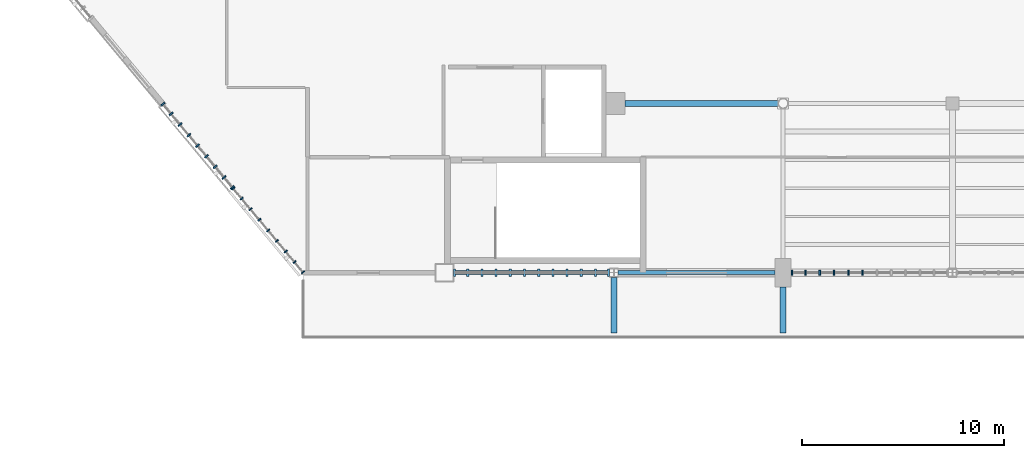
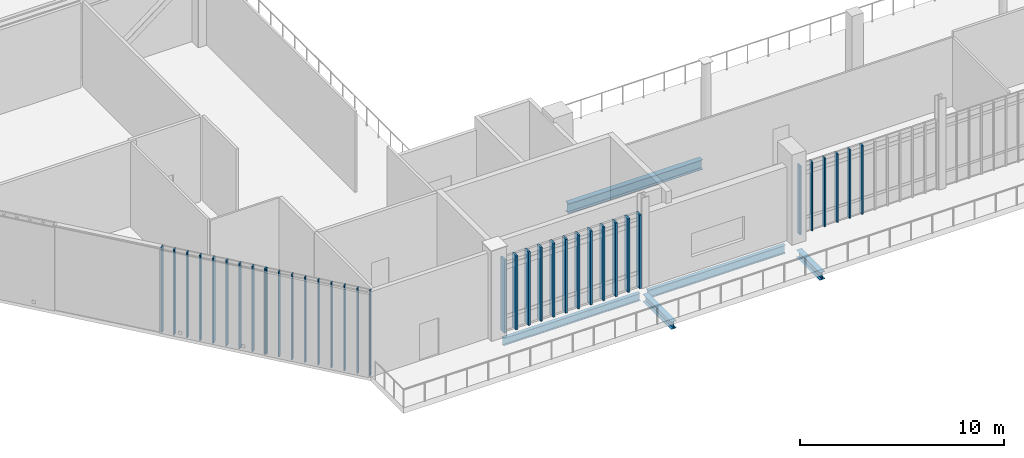
# One storey, part 8 of 135: 36 members, 5 beams, 4 elements without a shape of their own.
"""IFC4 building model written with IfcOpenShell, lengths in metres."""

from ifc_helpers import new_model, si_unit, direction, frame, origin, origin_2d, place, context, subcontext, project, spatial, rectangle, i_section, extrude, material, material_profile, profile_set, type_object, element, aggregate, save


model = new_model("IFC4")

# Units and contexts
model_context = context("Model", 3, precision=1e-05, world=origin(), true_north=direction((0.0, 1.0)))
body_context = subcontext(model_context, "Body", "Model", "MODEL_VIEW")
ifc_project = project(units=[si_unit("LENGTHUNIT", "METRE"), si_unit("AREAUNIT", "SQUARE_METRE"), si_unit("VOLUMEUNIT", "CUBIC_METRE"), si_unit("PLANEANGLEUNIT", "RADIAN"), si_unit("MASSUNIT", "GRAM", prefix="KILO")], contexts=[model_context])

# Site, building, storey
site_placement = place(None, origin())
site = spatial("IfcSite", under=ifc_project, at=site_placement, CompositionType="ELEMENT")
building_placement = place(site_placement, origin())
building = spatial("IfcBuilding", under=site, at=building_placement, Name="Larkvane Passage Sports Hall", CompositionType="ELEMENT")
storey_placement = place(building_placement, frame((0.0, 0.0, 16.800048828125)))
storey = spatial("IfcBuildingStorey", under=building, at=storey_placement, Name="L03", CompositionType="ELEMENT", Elevation=16.800048828125)

# Beams
ifc_material_1 = material(Name="Steel S355JR", Category="steel")
ifc_material_profile_1 = material_profile(ifc_material_1, i_section(OverallWidth=0.300048828125, OverallDepth=0.43994140625, WebThickness=0.010986328125, FlangeThickness=0.01806640625, FilletRadius=0.01806640625, at=origin_2d()), Name="H-440x300x11x18")
ifc_profile_set_1 = profile_set([ifc_material_profile_1], Name="Steel S355JR")
beam_type_1 = type_object("IfcBeamType", Name="BM-STL-H440", PredefinedType="BEAM", material=ifc_profile_set_1)
beam_1_placement = place(storey_placement, frame((43.199951171875, 19.800048828125, -0.56005859375), z_axis=(0.0, 1.0, 0.0), x_axis=(-1.0, 0.0, 0.0)))
element("IfcBeam", 1, at=beam_1_placement, inside=storey, type_object=beam_type_1, Name="South upper court terrace outlook beam 7/D", PredefinedType="BEAM", context=body_context, shape_type="SweptSolid", body=[
    extrude(i_section(OverallWidth=0.300048828125, OverallDepth=0.43994140625, WebThickness=0.010986328125, FlangeThickness=0.01806640625, FilletRadius=0.01806640625, at=origin_2d()), origin(), (0.0, 0.0, 1.0), 2.77099609375),
])
beam_2_placement = place(storey_placement, frame((51.60009765625, 19.800048828125, -0.56005859375), z_axis=(0.0, 1.0, 0.0), x_axis=(-1.0, 0.0, 0.0)))
element("IfcBeam", 2, at=beam_2_placement, inside=storey, type_object=beam_type_1, Name="South upper court terrace outlook beam 8/D", PredefinedType="BEAM", context=body_context, shape_type="SweptSolid", body=[
    extrude(i_section(OverallWidth=0.300048828125, OverallDepth=0.43994140625, WebThickness=0.010986328125, FlangeThickness=0.01806640625, FilletRadius=0.01806640625, at=origin_2d()), origin(), (0.0, 0.0, 1.0), 2.300048828125),
])
ifc_material_2 = material(Name="Steel S460N", Category="steel")
ifc_material_profile_2 = material_profile(ifc_material_2, i_section(OverallWidth=0.300048828125, OverallDepth=0.587890625, WebThickness=0.011962890625, FlangeThickness=0.02001953125, FilletRadius=0.02197265625, at=origin_2d()), Name="H-588x300x12x20")
ifc_profile_set_2 = profile_set([ifc_material_profile_2], Name="Steel S460N")
beam_type_2 = type_object("IfcBeamType", Name="BM-STL-H588", PredefinedType="BEAM", material=ifc_profile_set_2)
beam_3_placement = place(storey_placement, frame((43.75, 31.199951171875, -0.634033203125), z_axis=(1.0, 0.0, 0.0), x_axis=(0.0, 1.0, 0.0)))
element("IfcBeam", 3, at=beam_3_placement, inside=storey, type_object=beam_type_2, Name="Girder BM5-X-L03-E-0981", PredefinedType="BEAM", context=body_context, shape_type="SweptSolid", body=[
    extrude(i_section(OverallWidth=0.300048828125, OverallDepth=0.587890625, WebThickness=0.011962890625, FlangeThickness=0.02001953125, FilletRadius=0.02197265625, at=origin_2d()), origin(), (0.0, 0.0, 1.0), 7.595947265625),
])

# Curtain wall, members
ifc_material_3 = material(Name="Thermally broken aluminium and low-E glazing", Category="aluminium")
curtain_wall_type_1 = type_object("IfcCurtainWallType", Name="CW-CLINIC", PredefinedType="USERDEFINED", material=ifc_material_3)
curtain_wall_1_placement = place(storey_placement, origin())
curtain_wall_1 = element("IfcCurtainWall", 4, at=curtain_wall_1_placement, inside=storey, type_object=curtain_wall_type_1, Name="Curtain wall CW5-L03-127", ObjectType="UNITISED CURTAIN WALL", PredefinedType="USERDEFINED")
ifc_material_4 = material(Name="Anodised aluminium 6063-T6", Category="aluminium")
ifc_material_profile_3 = material_profile(ifc_material_4, rectangle(XDim=0.110107421875, YDim=0.360107421875, at=origin_2d()), Name="ALU-MUL-110x360")
ifc_profile_set_3 = profile_set([ifc_material_profile_3], Name="Anodised aluminium 6063-T6")
member_type_1 = type_object("IfcMemberType", Name="CW-MUL-110x360", PredefinedType="MULLION", material=ifc_profile_set_3)
member_1_placement = place(storey_placement, frame((42.9404296875, 22.800048828125, 0.0), z_axis=(0.0, 0.0, 1.0), x_axis=(-1.0, 0.0, 0.0)))
member_1 = element("IfcMember", 5, at=member_1_placement, type_object=member_type_1, Name="CW-05 mullion 1", PredefinedType="MULLION", context=body_context, shape_type="SweptSolid", body=[
    extrude(rectangle(XDim=0.110107421875, YDim=0.360107421875, at=origin_2d()), origin(), (0.0, 0.0, 1.0), 4.407958984375),
])
member_2_placement = place(storey_placement, frame((42.291015625, 22.800048828125, 0.0), z_axis=(0.0, 0.0, 1.0), x_axis=(-1.0, 0.0, 0.0)))
member_2 = element("IfcMember", 6, at=member_2_placement, type_object=member_type_1, Name="CW-05 mullion 2", PredefinedType="MULLION", context=body_context, shape_type="SweptSolid", body=[
    extrude(rectangle(XDim=0.110107421875, YDim=0.360107421875, at=origin_2d()), origin(), (0.0, 0.0, 1.0), 4.407958984375),
])
member_3_placement = place(storey_placement, frame((41.58642578125, 22.800048828125, 0.0), z_axis=(0.0, 0.0, 1.0), x_axis=(-1.0, 0.0, 0.0)))
member_3 = element("IfcMember", 7, at=member_3_placement, type_object=member_type_1, Name="CW-05 mullion 3", PredefinedType="MULLION", context=body_context, shape_type="SweptSolid", body=[
    extrude(rectangle(XDim=0.110107421875, YDim=0.360107421875, at=origin_2d()), origin(), (0.0, 0.0, 1.0), 4.407958984375),
])
member_4_placement = place(storey_placement, frame((40.882080078125, 22.800048828125, 0.0), z_axis=(0.0, 0.0, 1.0), x_axis=(-1.0, 0.0, 0.0)))
member_4 = element("IfcMember", 8, at=member_4_placement, type_object=member_type_1, Name="CW-05 mullion 4", PredefinedType="MULLION", context=body_context, shape_type="SweptSolid", body=[
    extrude(rectangle(XDim=0.110107421875, YDim=0.360107421875, at=origin_2d()), origin(), (0.0, 0.0, 1.0), 4.407958984375),
])
member_5_placement = place(storey_placement, frame((40.177490234375, 22.800048828125, 0.0), z_axis=(0.0, 0.0, 1.0), x_axis=(-1.0, 0.0, 0.0)))
member_5 = element("IfcMember", 9, at=member_5_placement, type_object=member_type_1, Name="CW-05 mullion 5", PredefinedType="MULLION", context=body_context, shape_type="SweptSolid", body=[
    extrude(rectangle(XDim=0.110107421875, YDim=0.360107421875, at=origin_2d()), origin(), (0.0, 0.0, 1.0), 4.407958984375),
])
member_6_placement = place(storey_placement, frame((39.472900390625, 22.800048828125, 0.0), z_axis=(0.0, 0.0, 1.0), x_axis=(-1.0, 0.0, 0.0)))
member_6 = element("IfcMember", 10, at=member_6_placement, type_object=member_type_1, Name="CW-05 mullion 6", PredefinedType="MULLION", context=body_context, shape_type="SweptSolid", body=[
    extrude(rectangle(XDim=0.110107421875, YDim=0.360107421875, at=origin_2d()), origin(), (0.0, 0.0, 1.0), 4.407958984375),
])
member_7_placement = place(storey_placement, frame((38.7685546875, 22.800048828125, 0.0), z_axis=(0.0, 0.0, 1.0), x_axis=(-1.0, 0.0, 0.0)))
member_7 = element("IfcMember", 11, at=member_7_placement, type_object=member_type_1, Name="CW-05 mullion 7", PredefinedType="MULLION", context=body_context, shape_type="SweptSolid", body=[
    extrude(rectangle(XDim=0.110107421875, YDim=0.360107421875, at=origin_2d()), origin(), (0.0, 0.0, 1.0), 4.407958984375),
])
member_8_placement = place(storey_placement, frame((38.06396484375, 22.800048828125, 0.0), z_axis=(0.0, 0.0, 1.0), x_axis=(-1.0, 0.0, 0.0)))
member_8 = element("IfcMember", 12, at=member_8_placement, type_object=member_type_1, Name="CW-05 mullion 8", PredefinedType="MULLION", context=body_context, shape_type="SweptSolid", body=[
    extrude(rectangle(XDim=0.110107421875, YDim=0.360107421875, at=origin_2d()), origin(), (0.0, 0.0, 1.0), 4.407958984375),
])
member_9_placement = place(storey_placement, frame((37.359619140625, 22.800048828125, 0.0), z_axis=(0.0, 0.0, 1.0), x_axis=(-1.0, 0.0, 0.0)))
member_9 = element("IfcMember", 13, at=member_9_placement, type_object=member_type_1, Name="CW-05 mullion 9", PredefinedType="MULLION", context=body_context, shape_type="SweptSolid", body=[
    extrude(rectangle(XDim=0.110107421875, YDim=0.360107421875, at=origin_2d()), origin(), (0.0, 0.0, 1.0), 4.407958984375),
])
member_10_placement = place(storey_placement, frame((36.655029296875, 22.800048828125, 0.0), z_axis=(0.0, 0.0, 1.0), x_axis=(-1.0, 0.0, 0.0)))
member_10 = element("IfcMember", 14, at=member_10_placement, type_object=member_type_1, Name="CW-05 mullion 10", PredefinedType="MULLION", context=body_context, shape_type="SweptSolid", body=[
    extrude(rectangle(XDim=0.110107421875, YDim=0.360107421875, at=origin_2d()), origin(), (0.0, 0.0, 1.0), 4.407958984375),
])
member_11_placement = place(storey_placement, frame((35.950439453125, 22.800048828125, 0.0), z_axis=(0.0, 0.0, 1.0), x_axis=(-1.0, 0.0, 0.0)))
member_11 = element("IfcMember", 15, at=member_11_placement, type_object=member_type_1, Name="CW-05 mullion 11", PredefinedType="MULLION", context=body_context, shape_type="SweptSolid", body=[
    extrude(rectangle(XDim=0.110107421875, YDim=0.360107421875, at=origin_2d()), origin(), (0.0, 0.0, 1.0), 4.407958984375),
])
member_12_placement = place(storey_placement, frame((35.301025390625, 22.800048828125, 0.0), z_axis=(0.0, 0.0, 1.0), x_axis=(-1.0, 0.0, 0.0)))
member_12 = element("IfcMember", 16, at=member_12_placement, type_object=member_type_1, Name="CW-05 mullion 12", PredefinedType="MULLION", context=body_context, shape_type="SweptSolid", body=[
    extrude(rectangle(XDim=0.110107421875, YDim=0.360107421875, at=origin_2d()), origin(), (0.0, 0.0, 1.0), 4.407958984375),
])
aggregate(curtain_wall_1, [member_1, member_2, member_3, member_4, member_5, member_6, member_7, member_8, member_9, member_10, member_11, member_12])

curtain_wall_type_2 = type_object("IfcCurtainWallType", Name="CW-UNIT-COURT", PredefinedType="USERDEFINED", material=ifc_material_3)
curtain_wall_2_placement = place(storey_placement, origin())
curtain_wall_2 = element("IfcCurtainWall", 17, at=curtain_wall_2_placement, inside=storey, type_object=curtain_wall_type_2, Name="Curtain wall CW5-L03-128", ObjectType="UNITISED CURTAIN WALL", PredefinedType="USERDEFINED")
ifc_material_profile_4 = material_profile(ifc_material_4, rectangle(XDim=0.06494140625, YDim=0.179931640625, at=origin_2d()), Name="ALU-MUL-65x180")
ifc_profile_set_4 = profile_set([ifc_material_profile_4], Name="Anodised aluminium 6063-T6")
member_type_2 = type_object("IfcMemberType", Name="CW-MUL-65x180", PredefinedType="MULLION", material=ifc_profile_set_4)
member_13_placement = place(storey_placement, frame((27.779296875, 22.824951171875, 0.0), z_axis=(0.0, 0.0, 1.0), x_axis=(-0.640184399661, 0.7682212796, 0.0)))
member_13 = element("IfcMember", 18, at=member_13_placement, type_object=member_type_2, Name="CW-01 mullion 1", PredefinedType="MULLION", context=body_context, shape_type="SweptSolid", body=[
    extrude(rectangle(XDim=0.06494140625, YDim=0.179931640625, at=origin_2d()), origin(), (0.0, 0.0, 1.0), 5.099853515625),
])
member_14_placement = place(storey_placement, frame((27.362548828125, 23.324951171875, 0.0), z_axis=(0.0, 0.0, 1.0), x_axis=(-0.640184399661, 0.7682212796, 0.0)))
member_14 = element("IfcMember", 19, at=member_14_placement, type_object=member_type_2, Name="CW-01 mullion 2", PredefinedType="MULLION", context=body_context, shape_type="SweptSolid", body=[
    extrude(rectangle(XDim=0.06494140625, YDim=0.179931640625, at=origin_2d()), origin(), (0.0, 0.0, 1.0), 5.099853515625),
])
member_15_placement = place(storey_placement, frame((26.925048828125, 23.85009765625, 0.0), z_axis=(0.0, 0.0, 1.0), x_axis=(-0.640184399661, 0.7682212796, 0.0)))
member_15 = element("IfcMember", 20, at=member_15_placement, type_object=member_type_2, Name="CW-01 mullion 3", PredefinedType="MULLION", context=body_context, shape_type="SweptSolid", body=[
    extrude(rectangle(XDim=0.06494140625, YDim=0.179931640625, at=origin_2d()), origin(), (0.0, 0.0, 1.0), 5.099853515625),
])
member_16_placement = place(storey_placement, frame((26.487548828125, 24.375, 0.0), z_axis=(0.0, 0.0, 1.0), x_axis=(-0.640184399661, 0.7682212796, 0.0)))
member_16 = element("IfcMember", 21, at=member_16_placement, type_object=member_type_2, Name="CW-01 mullion 4", PredefinedType="MULLION", context=body_context, shape_type="SweptSolid", body=[
    extrude(rectangle(XDim=0.06494140625, YDim=0.179931640625, at=origin_2d()), origin(), (0.0, 0.0, 1.0), 5.099853515625),
])
member_17_placement = place(storey_placement, frame((26.050048828125, 24.89990234375, 0.0), z_axis=(0.0, 0.0, 1.0), x_axis=(-0.640184399661, 0.7682212796, 0.0)))
member_17 = element("IfcMember", 22, at=member_17_placement, type_object=member_type_2, Name="CW-01 mullion 5", PredefinedType="MULLION", context=body_context, shape_type="SweptSolid", body=[
    extrude(rectangle(XDim=0.06494140625, YDim=0.179931640625, at=origin_2d()), origin(), (0.0, 0.0, 1.0), 5.099853515625),
])
member_18_placement = place(storey_placement, frame((25.612548828125, 25.425048828125, 0.0), z_axis=(0.0, 0.0, 1.0), x_axis=(-0.640184399661, 0.7682212796, 0.0)))
member_18 = element("IfcMember", 23, at=member_18_placement, type_object=member_type_2, Name="CW-01 mullion 6", PredefinedType="MULLION", context=body_context, shape_type="SweptSolid", body=[
    extrude(rectangle(XDim=0.06494140625, YDim=0.179931640625, at=origin_2d()), origin(), (0.0, 0.0, 1.0), 5.099853515625),
])
member_19_placement = place(storey_placement, frame((25.175048828125, 25.949951171875, 0.0), z_axis=(0.0, 0.0, 1.0), x_axis=(-0.640184399661, 0.7682212796, 0.0)))
member_19 = element("IfcMember", 24, at=member_19_placement, type_object=member_type_2, Name="CW-01 mullion 7", PredefinedType="MULLION", context=body_context, shape_type="SweptSolid", body=[
    extrude(rectangle(XDim=0.06494140625, YDim=0.179931640625, at=origin_2d()), origin(), (0.0, 0.0, 1.0), 5.099853515625),
])
member_20_placement = place(storey_placement, frame((24.737548828125, 26.47509765625, 0.0), z_axis=(0.0, 0.0, 1.0), x_axis=(-0.640184399661, 0.7682212796, 0.0)))
member_20 = element("IfcMember", 25, at=member_20_placement, type_object=member_type_2, Name="CW-01 mullion 8", PredefinedType="MULLION", context=body_context, shape_type="SweptSolid", body=[
    extrude(rectangle(XDim=0.06494140625, YDim=0.179931640625, at=origin_2d()), origin(), (0.0, 0.0, 1.0), 5.099853515625),
])
member_21_placement = place(storey_placement, frame((24.32080078125, 26.97509765625, 0.0), z_axis=(0.0, 0.0, 1.0), x_axis=(-0.640184399661, 0.7682212796, 0.0)))
member_21 = element("IfcMember", 26, at=member_21_placement, type_object=member_type_2, Name="CW-01 mullion 9", PredefinedType="MULLION", context=body_context, shape_type="SweptSolid", body=[
    extrude(rectangle(XDim=0.06494140625, YDim=0.179931640625, at=origin_2d()), origin(), (0.0, 0.0, 1.0), 5.099853515625),
])
aggregate(curtain_wall_2, [member_13, member_14, member_15, member_16, member_17, member_18, member_19, member_20, member_21])

curtain_wall_type_3 = type_object("IfcCurtainWallType", Name="CW-UNIT-VEIL", PredefinedType="USERDEFINED", material=ifc_material_3)
curtain_wall_3_placement = place(storey_placement, origin())
curtain_wall_3 = element("IfcCurtainWall", 27, at=curtain_wall_3_placement, inside=storey, type_object=curtain_wall_type_3, Name="Curtain wall CW5-L03-129", ObjectType="UNITISED CURTAIN WALL", PredefinedType="USERDEFINED")
ifc_material_profile_5 = material_profile(ifc_material_4, rectangle(XDim=0.074951171875, YDim=0.22509765625, at=origin_2d()), Name="ALU-MUL-75x225")
ifc_profile_set_5 = profile_set([ifc_material_profile_5], Name="Anodised aluminium 6063-T6")
member_type_3 = type_object("IfcMemberType", Name="CW-MUL-75x225", PredefinedType="MULLION", material=ifc_profile_set_5)
member_22_placement = place(storey_placement, frame((24.27587890625, 27.02880859375, 0.0), z_axis=(0.0, 0.0, 1.0), x_axis=(-0.640184399661, 0.7682212796, 0.0)))
member_22 = element("IfcMember", 28, at=member_22_placement, type_object=member_type_3, Name="CW-02 mullion 1", PredefinedType="MULLION", context=body_context, shape_type="SweptSolid", body=[
    extrude(rectangle(XDim=0.074951171875, YDim=0.22509765625, at=origin_2d()), origin(), (0.0, 0.0, 1.0), 5.099853515625),
])
member_23_placement = place(storey_placement, frame((23.862548828125, 27.52490234375, 0.0), z_axis=(0.0, 0.0, 1.0), x_axis=(-0.640184399661, 0.7682212796, 0.0)))
member_23 = element("IfcMember", 29, at=member_23_placement, type_object=member_type_3, Name="CW-02 mullion 2", PredefinedType="MULLION", context=body_context, shape_type="SweptSolid", body=[
    extrude(rectangle(XDim=0.074951171875, YDim=0.22509765625, at=origin_2d()), origin(), (0.0, 0.0, 1.0), 5.099853515625),
])
member_24_placement = place(storey_placement, frame((23.425048828125, 28.050048828125, 0.0), z_axis=(0.0, 0.0, 1.0), x_axis=(-0.640184399661, 0.7682212796, 0.0)))
member_24 = element("IfcMember", 30, at=member_24_placement, type_object=member_type_3, Name="CW-02 mullion 3", PredefinedType="MULLION", context=body_context, shape_type="SweptSolid", body=[
    extrude(rectangle(XDim=0.074951171875, YDim=0.22509765625, at=origin_2d()), origin(), (0.0, 0.0, 1.0), 5.099853515625),
])
member_25_placement = place(storey_placement, frame((22.987548828125, 28.574951171875, 0.0), z_axis=(0.0, 0.0, 1.0), x_axis=(-0.640184399661, 0.7682212796, 0.0)))
member_25 = element("IfcMember", 31, at=member_25_placement, type_object=member_type_3, Name="CW-02 mullion 4", PredefinedType="MULLION", context=body_context, shape_type="SweptSolid", body=[
    extrude(rectangle(XDim=0.074951171875, YDim=0.22509765625, at=origin_2d()), origin(), (0.0, 0.0, 1.0), 5.099853515625),
])
member_26_placement = place(storey_placement, frame((22.550048828125, 29.10009765625, 0.0), z_axis=(0.0, 0.0, 1.0), x_axis=(-0.640184399661, 0.7682212796, 0.0)))
member_26 = element("IfcMember", 32, at=member_26_placement, type_object=member_type_3, Name="CW-02 mullion 5", PredefinedType="MULLION", context=body_context, shape_type="SweptSolid", body=[
    extrude(rectangle(XDim=0.074951171875, YDim=0.22509765625, at=origin_2d()), origin(), (0.0, 0.0, 1.0), 5.099853515625),
])
member_27_placement = place(storey_placement, frame((22.112548828125, 29.625, 0.0), z_axis=(0.0, 0.0, 1.0), x_axis=(-0.640184399661, 0.7682212796, 0.0)))
member_27 = element("IfcMember", 33, at=member_27_placement, type_object=member_type_3, Name="CW-02 mullion 6", PredefinedType="MULLION", context=body_context, shape_type="SweptSolid", body=[
    extrude(rectangle(XDim=0.074951171875, YDim=0.22509765625, at=origin_2d()), origin(), (0.0, 0.0, 1.0), 5.099853515625),
])
member_28_placement = place(storey_placement, frame((21.675048828125, 30.14990234375, 0.0), z_axis=(0.0, 0.0, 1.0), x_axis=(-0.640184399661, 0.7682212796, 0.0)))
member_28 = element("IfcMember", 34, at=member_28_placement, type_object=member_type_3, Name="CW-02 mullion 7", PredefinedType="MULLION", context=body_context, shape_type="SweptSolid", body=[
    extrude(rectangle(XDim=0.074951171875, YDim=0.22509765625, at=origin_2d()), origin(), (0.0, 0.0, 1.0), 5.099853515625),
])
member_29_placement = place(storey_placement, frame((21.237548828125, 30.675048828125, 0.0), z_axis=(0.0, 0.0, 1.0), x_axis=(-0.640184399661, 0.7682212796, 0.0)))
member_29 = element("IfcMember", 35, at=member_29_placement, type_object=member_type_3, Name="CW-02 mullion 8", PredefinedType="MULLION", context=body_context, shape_type="SweptSolid", body=[
    extrude(rectangle(XDim=0.074951171875, YDim=0.22509765625, at=origin_2d()), origin(), (0.0, 0.0, 1.0), 5.099853515625),
])
member_30_placement = place(storey_placement, frame((20.823974609375, 31.171142578125, 0.0), z_axis=(0.0, 0.0, 1.0), x_axis=(-0.640184399661, 0.7682212796, 0.0)))
member_30 = element("IfcMember", 36, at=member_30_placement, type_object=member_type_3, Name="CW-02 mullion 9", PredefinedType="MULLION", context=body_context, shape_type="SweptSolid", body=[
    extrude(rectangle(XDim=0.074951171875, YDim=0.22509765625, at=origin_2d()), origin(), (0.0, 0.0, 1.0), 5.099853515625),
])
aggregate(curtain_wall_3, [member_22, member_23, member_24, member_25, member_26, member_27, member_28, member_29, member_30])

curtain_wall_type_4 = type_object("IfcCurtainWallType", Name="CW-STICK-FOYER", PredefinedType="USERDEFINED", material=ifc_material_3)
curtain_wall_4_placement = place(storey_placement, origin())
curtain_wall_4 = element("IfcCurtainWall", 37, at=curtain_wall_4_placement, inside=storey, type_object=curtain_wall_type_4, Name="Curtain wall CW5-L03-126", ObjectType="STICK CURTAIN WALL", PredefinedType="USERDEFINED")
ifc_material_profile_6 = material_profile(ifc_material_4, rectangle(XDim=0.080078125, YDim=0.25, at=origin_2d()), Name="ALU-MUL-80x250")
ifc_profile_set_6 = profile_set([ifc_material_profile_6], Name="Anodised aluminium 6063-T6")
member_type_4 = type_object("IfcMemberType", Name="CW-MUL-80x250", PredefinedType="MULLION", material=ifc_profile_set_6)
member_31_placement = place(storey_placement, frame((55.54345703125, 22.800048828125, 0.0), z_axis=(0.0, 0.0, 1.0), x_axis=(-1.0, 0.0, 0.0)))
member_31 = element("IfcMember", 38, at=member_31_placement, type_object=member_type_4, Name="CW-03 mullion 7", PredefinedType="MULLION", context=body_context, shape_type="SweptSolid", body=[
    extrude(rectangle(XDim=0.080078125, YDim=0.25, at=origin_2d()), origin(), (0.0, 0.0, 1.0), 4.10791015625),
])
member_32_placement = place(storey_placement, frame((54.833984375, 22.800048828125, 0.0), z_axis=(0.0, 0.0, 1.0), x_axis=(-1.0, 0.0, 0.0)))
member_32 = element("IfcMember", 39, at=member_32_placement, type_object=member_type_4, Name="CW-03 mullion 8", PredefinedType="MULLION", context=body_context, shape_type="SweptSolid", body=[
    extrude(rectangle(XDim=0.080078125, YDim=0.25, at=origin_2d()), origin(), (0.0, 0.0, 1.0), 4.10791015625),
])
member_33_placement = place(storey_placement, frame((54.12451171875, 22.800048828125, 0.0), z_axis=(0.0, 0.0, 1.0), x_axis=(-1.0, 0.0, 0.0)))
member_33 = element("IfcMember", 40, at=member_33_placement, type_object=member_type_4, Name="CW-03 mullion 9", PredefinedType="MULLION", context=body_context, shape_type="SweptSolid", body=[
    extrude(rectangle(XDim=0.080078125, YDim=0.25, at=origin_2d()), origin(), (0.0, 0.0, 1.0), 4.10791015625),
])
member_34_placement = place(storey_placement, frame((53.4150390625, 22.800048828125, 0.0), z_axis=(0.0, 0.0, 1.0), x_axis=(-1.0, 0.0, 0.0)))
member_34 = element("IfcMember", 41, at=member_34_placement, type_object=member_type_4, Name="CW-03 mullion 10", PredefinedType="MULLION", context=body_context, shape_type="SweptSolid", body=[
    extrude(rectangle(XDim=0.080078125, YDim=0.25, at=origin_2d()), origin(), (0.0, 0.0, 1.0), 4.10791015625),
])
member_35_placement = place(storey_placement, frame((52.70556640625, 22.800048828125, 0.0), z_axis=(0.0, 0.0, 1.0), x_axis=(-1.0, 0.0, 0.0)))
member_35 = element("IfcMember", 42, at=member_35_placement, type_object=member_type_4, Name="CW-03 mullion 11", PredefinedType="MULLION", context=body_context, shape_type="SweptSolid", body=[
    extrude(rectangle(XDim=0.080078125, YDim=0.25, at=origin_2d()), origin(), (0.0, 0.0, 1.0), 4.10791015625),
])
member_36_placement = place(storey_placement, frame((52.035888671875, 22.800048828125, 0.0), z_axis=(0.0, 0.0, 1.0), x_axis=(-1.0, 0.0, 0.0)))
member_36 = element("IfcMember", 43, at=member_36_placement, type_object=member_type_4, Name="CW-03 mullion 12", PredefinedType="MULLION", context=body_context, shape_type="SweptSolid", body=[
    extrude(rectangle(XDim=0.080078125, YDim=0.25, at=origin_2d()), origin(), (0.0, 0.0, 1.0), 4.10791015625),
])
aggregate(curtain_wall_4, [member_31, member_32, member_33, member_34, member_35, member_36])

# Beams
ifc_material_profile_7 = material_profile(ifc_material_1, i_section(OverallWidth=0.199951171875, OverallDepth=0.449951171875, WebThickness=0.009033203125, FlangeThickness=0.013916015625, FilletRadius=0.01806640625, at=origin_2d()), Name="H-450x200x9x14")
ifc_profile_set_7 = profile_set([ifc_material_profile_7], Name="Steel S355JR")
beam_type_3 = type_object("IfcBeamType", Name="SP-STL-H450", PredefinedType="SPANDREL", material=ifc_profile_set_7)
beam_4_placement = place(storey_placement, frame((35.25, 22.800048828125, -0.56494140625), z_axis=(1.0, 0.0, 0.0), x_axis=(0.0, 1.0, 0.0)))
element("IfcBeam", 44, at=beam_4_placement, inside=storey, type_object=beam_type_3, Name="Girder BM5-X-L03-D-0975", PredefinedType="SPANDREL", context=body_context, shape_type="SweptSolid", body=[
    extrude(i_section(OverallWidth=0.199951171875, OverallDepth=0.449951171875, WebThickness=0.009033203125, FlangeThickness=0.013916015625, FilletRadius=0.01806640625, at=origin_2d()), origin(), (0.0, 0.0, 1.0), 7.741455078125),
])
ifc_material_profile_8 = material_profile(ifc_material_1, i_section(OverallWidth=0.199951171875, OverallDepth=0.5, WebThickness=0.010009765625, FlangeThickness=0.01611328125, FilletRadius=0.01806640625, at=origin_2d()), Name="H-500x200x10x16")
ifc_profile_set_8 = profile_set([ifc_material_profile_8], Name="Steel S355JR")
beam_type_4 = type_object("IfcBeamType", Name="SP-STL-H500", PredefinedType="SPANDREL", material=ifc_profile_set_8)
beam_5_placement = place(storey_placement, frame((43.408447265625, 22.800048828125, -0.590087890625), z_axis=(1.0, 0.0, 0.0), x_axis=(0.0, 1.0, 0.0)))
element("IfcBeam", 45, at=beam_5_placement, inside=storey, type_object=beam_type_4, Name="Girder BM5-X-L03-D-0976", PredefinedType="SPANDREL", context=body_context, shape_type="SweptSolid", body=[
    extrude(i_section(OverallWidth=0.199951171875, OverallDepth=0.5, WebThickness=0.010009765625, FlangeThickness=0.01611328125, FilletRadius=0.01806640625, at=origin_2d()), origin(), (0.0, 0.0, 1.0), 7.79150390625),
])

save(model, "model.ifc")
